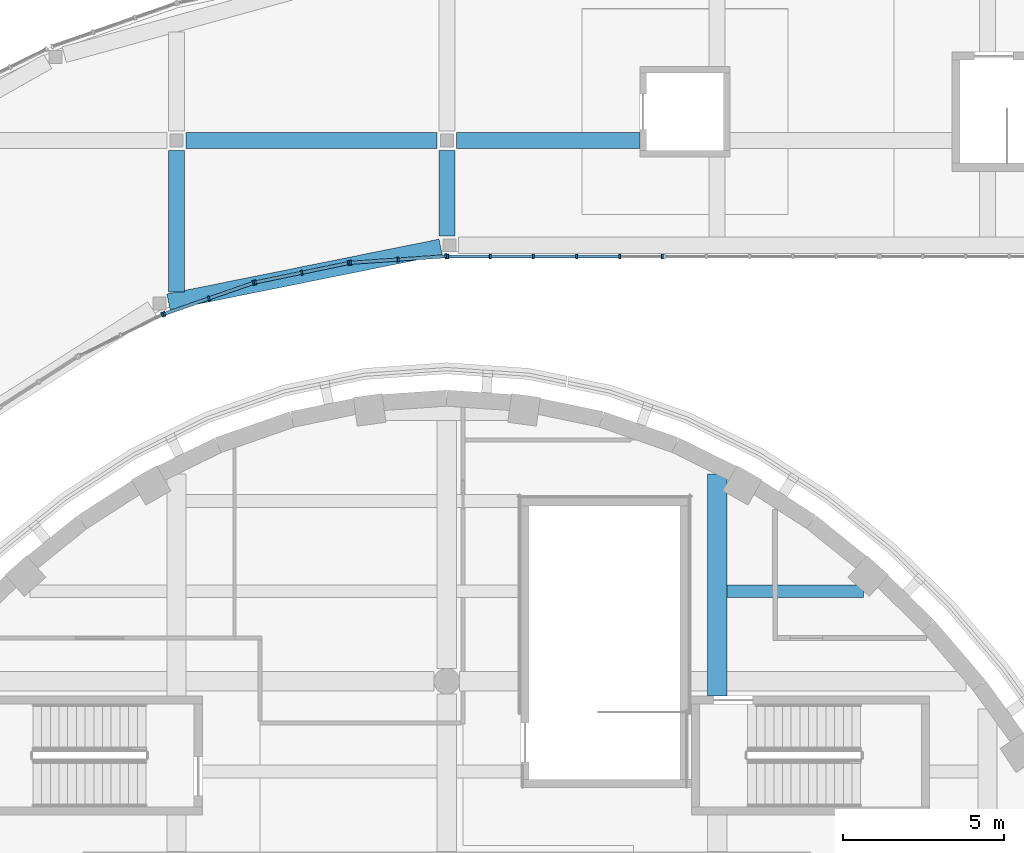
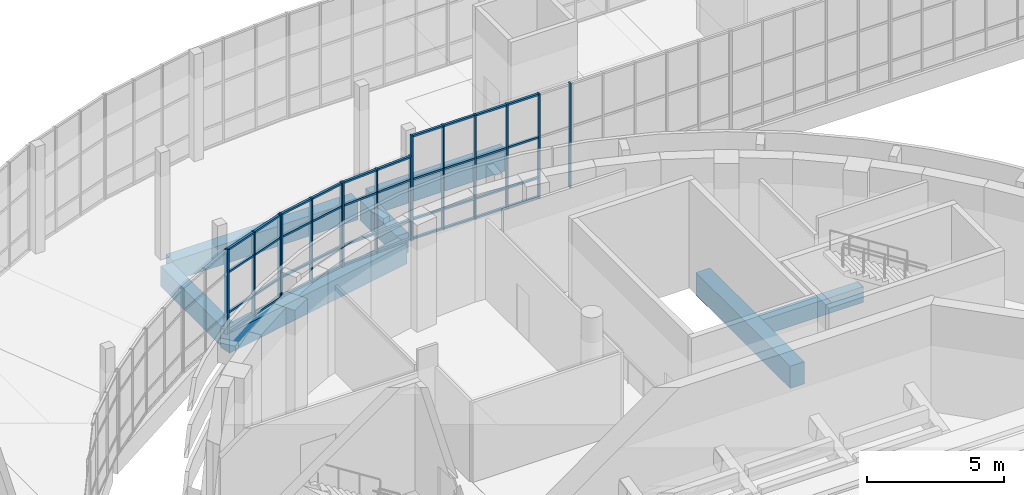
# One storey, part 23 of 103: 56 members, 7 beams, 5 elements without a shape of their own.
"""IFC4 building model written with IfcOpenShell, lengths in metres."""

from ifc_helpers import new_model, si_unit, direction, frame, origin, origin_2d, place, context, subcontext, project, spatial, rectangle, extrude, material, layer, layer_set, material_profile, profile_set, type_object, element, aggregate, save


model = new_model("IFC4")

# Units and contexts
model_context = context("Model", 3, precision=1e-05, world=origin(), true_north=direction((0.0, 1.0)))
body_context = subcontext(model_context, "Body", "Model", "MODEL_VIEW")
ifc_project = project(units=[si_unit("LENGTHUNIT", "METRE"), si_unit("AREAUNIT", "SQUARE_METRE"), si_unit("VOLUMEUNIT", "CUBIC_METRE"), si_unit("PLANEANGLEUNIT", "RADIAN"), si_unit("MASSUNIT", "GRAM", prefix="KILO")], contexts=[model_context])

# Site, building, storey
site_placement = place(None, origin())
site = spatial("IfcSite", under=ifc_project, at=site_placement, CompositionType="ELEMENT")
building_placement = place(site_placement, origin())
building = spatial("IfcBuilding", under=site, at=building_placement, Name="Larchfold Concert Hall", CompositionType="ELEMENT")
storey_placement = place(building_placement, frame((0.0, 0.0, 9.60009765625)))
storey = spatial("IfcBuildingStorey", under=building, at=storey_placement, Name="L02", CompositionType="ELEMENT", Elevation=9.60009765625)

# Curtain wall, member
ifc_material_1 = material(Name="Anodised graphite aluminium curtain wall", Category="aluminium")
ifc_layer = layer(ifc_material_1, 0.14990234375)
ifc_layer_set = layer_set([ifc_layer], Name="Anodised graphite aluminium curtain wall")
curtain_wall_type = type_object("IfcCurtainWallType", Name="Curtain wall WG", PredefinedType="NOTDEFINED", material=ifc_layer_set)
curtain_wall_1_placement = place(storey_placement, origin())
curtain_wall_1 = element("IfcCurtainWall", 1, at=curtain_wall_1_placement, inside=storey, type_object=curtain_wall_type, Name="Curtain wall CW0239", PredefinedType="NOTDEFINED")
ifc_material_2 = material(Name="Anodised graphite aluminium mullion", Category="aluminium")
ifc_material_profile_1 = material_profile(ifc_material_2, rectangle(XDim=0.14990234375, YDim=0.06005859375, at=origin_2d()))
ifc_profile_set_1 = profile_set([ifc_material_profile_1], Name="Anodised graphite aluminium mullion")
member_type_1 = type_object("IfcMemberType", Name="Aluminium mullion 60x150", PredefinedType="MULLION", material=ifc_profile_set_1)
member_1_placement = place(storey_placement, frame((33.7646484375, 121.191650390625, 0.0), z_axis=(0.0, 0.0, 1.0), x_axis=(-0.442317057699, 0.896858751682, 0.0)))
member_1 = element("IfcMember", 2, at=member_1_placement, type_object=member_type_1, Name="CW0239 mullion 3", PredefinedType="MULLION", context=body_context, shape_type="SweptSolid", body=[
    extrude(rectangle(XDim=0.14990234375, YDim=0.06005859375, at=origin_2d()), origin(), (0.0, 0.0, 1.0), 3.75),
])
aggregate(curtain_wall_1, [member_1])

# Curtain wall, members
curtain_wall_2_placement = place(storey_placement, origin())
curtain_wall_2 = element("IfcCurtainWall", 3, at=curtain_wall_2_placement, inside=storey, type_object=curtain_wall_type, Name="Curtain wall CW0240", PredefinedType="NOTDEFINED")
member_2_placement = place(storey_placement, frame((33.81982421875, 121.214599609375, 0.0), z_axis=(0.0, 0.0, 1.0), x_axis=(-0.3289542175, 0.944345870319, 0.0)))
member_2 = element("IfcMember", 4, at=member_2_placement, type_object=member_type_1, Name="CW0240 mullion 1", PredefinedType="MULLION", context=body_context, shape_type="SweptSolid", body=[
    extrude(rectangle(XDim=0.14990234375, YDim=0.06005859375, at=origin_2d()), origin(), (0.0, 0.0, 1.0), 3.75),
])
member_3_placement = place(storey_placement, frame((35.2041015625, 121.69677734375, 0.0), z_axis=(0.0, 0.0, 1.0), x_axis=(-0.3289542175, 0.944345870319, 0.0)))
member_3 = element("IfcMember", 5, at=member_3_placement, type_object=member_type_1, Name="CW0240 mullion 2", PredefinedType="MULLION", context=body_context, shape_type="SweptSolid", body=[
    extrude(rectangle(XDim=0.14990234375, YDim=0.06005859375, at=origin_2d()), origin(), (0.0, 0.0, 1.0), 3.75),
])
member_4_placement = place(storey_placement, frame((36.58837890625, 122.17919921875, 0.0), z_axis=(0.0, 0.0, 1.0), x_axis=(-0.3289542175, 0.944345870319, 0.0)))
member_4 = element("IfcMember", 6, at=member_4_placement, type_object=member_type_1, Name="CW0240 mullion 3", PredefinedType="MULLION", context=body_context, shape_type="SweptSolid", body=[
    extrude(rectangle(XDim=0.14990234375, YDim=0.06005859375, at=origin_2d()), origin(), (0.0, 0.0, 1.0), 3.75),
])

curtain_wall_3_placement = place(storey_placement, origin())
curtain_wall_3 = element("IfcCurtainWall", 7, at=curtain_wall_3_placement, inside=storey, type_object=curtain_wall_type, Name="Curtain wall CW0241", PredefinedType="NOTDEFINED")
member_5_placement = place(storey_placement, frame((36.64599609375, 122.195068359375, 0.0), z_axis=(0.0, 0.0, 1.0), x_axis=(-0.203062857741, 0.979165703957, 0.0)))
member_5 = element("IfcMember", 8, at=member_5_placement, type_object=member_type_1, Name="CW0241 mullion 1", PredefinedType="MULLION", context=body_context, shape_type="SweptSolid", body=[
    extrude(rectangle(XDim=0.14990234375, YDim=0.06005859375, at=origin_2d()), origin(), (0.0, 0.0, 1.0), 3.75),
])
member_6_placement = place(storey_placement, frame((38.0947265625, 122.495361328125, 0.0), z_axis=(0.0, 0.0, 1.0), x_axis=(-0.203062857741, 0.979165703957, 0.0)))
member_6 = element("IfcMember", 9, at=member_6_placement, type_object=member_type_1, Name="CW0241 mullion 2", PredefinedType="MULLION", context=body_context, shape_type="SweptSolid", body=[
    extrude(rectangle(XDim=0.14990234375, YDim=0.06005859375, at=origin_2d()), origin(), (0.0, 0.0, 1.0), 3.75),
])
member_7_placement = place(storey_placement, frame((39.54345703125, 122.7958984375, 0.0), z_axis=(0.0, 0.0, 1.0), x_axis=(-0.203062857741, 0.979165703957, 0.0)))
member_7 = element("IfcMember", 10, at=member_7_placement, type_object=member_type_1, Name="CW0241 mullion 3", PredefinedType="MULLION", context=body_context, shape_type="SweptSolid", body=[
    extrude(rectangle(XDim=0.14990234375, YDim=0.06005859375, at=origin_2d()), origin(), (0.0, 0.0, 1.0), 3.75),
])

curtain_wall_4_placement = place(storey_placement, origin())
curtain_wall_4 = element("IfcCurtainWall", 11, at=curtain_wall_4_placement, inside=storey, type_object=curtain_wall_type, Name="Curtain wall CW0242", PredefinedType="NOTDEFINED")
member_8_placement = place(storey_placement, frame((39.602783203125, 122.803955078125, 0.0), z_axis=(0.0, 0.0, 1.0), x_axis=(-0.068708211839, 0.997636798452, 0.0)))
member_8 = element("IfcMember", 12, at=member_8_placement, type_object=member_type_1, Name="CW0242 mullion 1", PredefinedType="MULLION", context=body_context, shape_type="SweptSolid", body=[
    extrude(rectangle(XDim=0.14990234375, YDim=0.06005859375, at=origin_2d()), origin(), (0.0, 0.0, 1.0), 3.75),
])
member_9_placement = place(storey_placement, frame((41.08642578125, 122.90625, 0.0), z_axis=(0.0, 0.0, 1.0), x_axis=(-0.068708211839, 0.997636798452, 0.0)))
member_9 = element("IfcMember", 13, at=member_9_placement, type_object=member_type_1, Name="CW0242 mullion 2", PredefinedType="MULLION", context=body_context, shape_type="SweptSolid", body=[
    extrude(rectangle(XDim=0.14990234375, YDim=0.06005859375, at=origin_2d()), origin(), (0.0, 0.0, 1.0), 3.75),
])
member_10_placement = place(storey_placement, frame((42.570068359375, 123.008544921875, 0.0), z_axis=(0.0, 0.0, 1.0), x_axis=(-0.068708211839, 0.997636798452, 0.0)))
member_10 = element("IfcMember", 14, at=member_10_placement, type_object=member_type_1, Name="CW0242 mullion 3", PredefinedType="MULLION", context=body_context, shape_type="SweptSolid", body=[
    extrude(rectangle(XDim=0.14990234375, YDim=0.06005859375, at=origin_2d()), origin(), (0.0, 0.0, 1.0), 3.75),
])

curtain_wall_5_placement = place(storey_placement, origin())
curtain_wall_5 = element("IfcCurtainWall", 15, at=curtain_wall_5_placement, inside=storey, type_object=curtain_wall_type, Name="Curtain wall CW0243", PredefinedType="NOTDEFINED")
member_11_placement = place(storey_placement, frame((42.630126953125, 123.0, 0.0), z_axis=(0.0, 0.0, 1.0), x_axis=(0.0, 1.0, 0.0)))
member_11 = element("IfcMember", 16, at=member_11_placement, type_object=member_type_1, Name="CW0243 mullion 1", PredefinedType="MULLION", context=body_context, shape_type="SweptSolid", body=[
    extrude(rectangle(XDim=0.14990234375, YDim=0.06005859375, at=origin_2d()), origin(), (0.0, 0.0, 1.0), 4.64990234375),
])
member_12_placement = place(storey_placement, frame((43.944091796875, 123.0, 0.0), z_axis=(0.0, 0.0, 1.0), x_axis=(0.0, 1.0, 0.0)))
member_12 = element("IfcMember", 17, at=member_12_placement, type_object=member_type_1, Name="CW0243 mullion 2", PredefinedType="MULLION", context=body_context, shape_type="SweptSolid", body=[
    extrude(rectangle(XDim=0.14990234375, YDim=0.06005859375, at=origin_2d()), origin(), (0.0, 0.0, 1.0), 4.64990234375),
])
member_13_placement = place(storey_placement, frame((45.2880859375, 123.0, 0.0), z_axis=(0.0, 0.0, 1.0), x_axis=(0.0, 1.0, 0.0)))
member_13 = element("IfcMember", 18, at=member_13_placement, type_object=member_type_1, Name="CW0243 mullion 3", PredefinedType="MULLION", context=body_context, shape_type="SweptSolid", body=[
    extrude(rectangle(XDim=0.14990234375, YDim=0.06005859375, at=origin_2d()), origin(), (0.0, 0.0, 1.0), 4.64990234375),
])
member_14_placement = place(storey_placement, frame((46.632080078125, 123.0, 0.0), z_axis=(0.0, 0.0, 1.0), x_axis=(0.0, 1.0, 0.0)))
member_14 = element("IfcMember", 19, at=member_14_placement, type_object=member_type_1, Name="CW0243 mullion 4", PredefinedType="MULLION", context=body_context, shape_type="SweptSolid", body=[
    extrude(rectangle(XDim=0.14990234375, YDim=0.06005859375, at=origin_2d()), origin(), (0.0, 0.0, 1.0), 4.64990234375),
])
member_15_placement = place(storey_placement, frame((47.97607421875, 123.0, 0.0), z_axis=(0.0, 0.0, 1.0), x_axis=(0.0, 1.0, 0.0)))
member_15 = element("IfcMember", 20, at=member_15_placement, type_object=member_type_1, Name="CW0243 mullion 5", PredefinedType="MULLION", context=body_context, shape_type="SweptSolid", body=[
    extrude(rectangle(XDim=0.14990234375, YDim=0.06005859375, at=origin_2d()), origin(), (0.0, 0.0, 1.0), 4.64990234375),
])
member_16_placement = place(storey_placement, frame((49.2900390625, 123.0, 0.0), z_axis=(0.0, 0.0, 1.0), x_axis=(0.0, 1.0, 0.0)))
member_16 = element("IfcMember", 21, at=member_16_placement, type_object=member_type_1, Name="CW0243 mullion 6", PredefinedType="MULLION", context=body_context, shape_type="SweptSolid", body=[
    extrude(rectangle(XDim=0.14990234375, YDim=0.06005859375, at=origin_2d()), origin(), (0.0, 0.0, 1.0), 4.64990234375),
])

# Member
ifc_material_3 = material(Name="Anodised graphite aluminium transom", Category="aluminium")
ifc_material_profile_2 = material_profile(ifc_material_3, rectangle(XDim=0.10009765625, YDim=0.080078125, at=origin_2d()))
ifc_profile_set_2 = profile_set([ifc_material_profile_2], Name="Anodised graphite aluminium transom")
member_type_2 = type_object("IfcMemberType", Name="Aluminium transom 80x100", PredefinedType="USERDEFINED", material=ifc_profile_set_2)
member_17_placement = place(storey_placement, frame((33.84814453125, 121.224609375, 0.0400390625), z_axis=(0.944360833876, 0.328911257698, 0.0), x_axis=(-0.328911257698, 0.944360833876, 0.0)))
member_17 = element("IfcMember", 22, at=member_17_placement, type_object=member_type_2, Name="CW0240 transom 1.1", ObjectType="TRANSOM", PredefinedType="USERDEFINED", context=body_context, shape_type="SweptSolid", body=[
    extrude(rectangle(XDim=0.10009765625, YDim=0.080078125, at=origin_2d()), origin(), (0.0, 0.0, 1.0), 1.40576171875),
])

member_18_placement = place(storey_placement, frame((33.84814453125, 121.224609375, 0.89990234375), z_axis=(0.944360833876, 0.328911257698, 0.0), x_axis=(-0.328911257698, 0.944360833876, 0.0)))
member_18 = element("IfcMember", 23, at=member_18_placement, type_object=member_type_2, Name="CW0240 transom 1.2", ObjectType="TRANSOM", PredefinedType="USERDEFINED", context=body_context, shape_type="SweptSolid", body=[
    extrude(rectangle(XDim=0.10009765625, YDim=0.080078125, at=origin_2d()), origin(), (0.0, 0.0, 1.0), 1.40576171875),
])

member_19_placement = place(storey_placement, frame((33.84814453125, 121.224609375, 2.699951171875), z_axis=(0.944360833876, 0.328911257698, 0.0), x_axis=(-0.328911257698, 0.944360833876, 0.0)))
member_19 = element("IfcMember", 24, at=member_19_placement, type_object=member_type_2, Name="CW0240 transom 1.3", ObjectType="TRANSOM", PredefinedType="USERDEFINED", context=body_context, shape_type="SweptSolid", body=[
    extrude(rectangle(XDim=0.10009765625, YDim=0.080078125, at=origin_2d()), origin(), (0.0, 0.0, 1.0), 1.40576171875),
])

member_20_placement = place(storey_placement, frame((33.84814453125, 121.224609375, 3.7099609375), z_axis=(0.944360833876, 0.328911257698, 0.0), x_axis=(-0.328911257698, 0.944360833876, 0.0)))
member_20 = element("IfcMember", 25, at=member_20_placement, type_object=member_type_2, Name="CW0240 transom 1.4", ObjectType="TRANSOM", PredefinedType="USERDEFINED", context=body_context, shape_type="SweptSolid", body=[
    extrude(rectangle(XDim=0.10009765625, YDim=0.080078125, at=origin_2d()), origin(), (0.0, 0.0, 1.0), 1.40576171875),
])

member_21_placement = place(storey_placement, frame((35.232421875, 121.706787109375, 0.0400390625), z_axis=(0.944360833876, 0.328911257698, 0.0), x_axis=(-0.328911257698, 0.944360833876, 0.0)))
member_21 = element("IfcMember", 26, at=member_21_placement, type_object=member_type_2, Name="CW0240 transom 2.1", ObjectType="TRANSOM", PredefinedType="USERDEFINED", context=body_context, shape_type="SweptSolid", body=[
    extrude(rectangle(XDim=0.10009765625, YDim=0.080078125, at=origin_2d()), origin(), (0.0, 0.0, 1.0), 1.40576171875),
])

member_22_placement = place(storey_placement, frame((35.232421875, 121.706787109375, 0.89990234375), z_axis=(0.944360833876, 0.328911257698, 0.0), x_axis=(-0.328911257698, 0.944360833876, 0.0)))
member_22 = element("IfcMember", 27, at=member_22_placement, type_object=member_type_2, Name="CW0240 transom 2.2", ObjectType="TRANSOM", PredefinedType="USERDEFINED", context=body_context, shape_type="SweptSolid", body=[
    extrude(rectangle(XDim=0.10009765625, YDim=0.080078125, at=origin_2d()), origin(), (0.0, 0.0, 1.0), 1.40576171875),
])

member_23_placement = place(storey_placement, frame((35.232421875, 121.706787109375, 2.699951171875), z_axis=(0.944360833876, 0.328911257698, 0.0), x_axis=(-0.328911257698, 0.944360833876, 0.0)))
member_23 = element("IfcMember", 28, at=member_23_placement, type_object=member_type_2, Name="CW0240 transom 2.3", ObjectType="TRANSOM", PredefinedType="USERDEFINED", context=body_context, shape_type="SweptSolid", body=[
    extrude(rectangle(XDim=0.10009765625, YDim=0.080078125, at=origin_2d()), origin(), (0.0, 0.0, 1.0), 1.40576171875),
])

member_24_placement = place(storey_placement, frame((35.232421875, 121.706787109375, 3.7099609375), z_axis=(0.944360833876, 0.328911257698, 0.0), x_axis=(-0.328911257698, 0.944360833876, 0.0)))
member_24 = element("IfcMember", 29, at=member_24_placement, type_object=member_type_2, Name="CW0240 transom 2.4", ObjectType="TRANSOM", PredefinedType="USERDEFINED", context=body_context, shape_type="SweptSolid", body=[
    extrude(rectangle(XDim=0.10009765625, YDim=0.080078125, at=origin_2d()), origin(), (0.0, 0.0, 1.0), 1.40576171875),
])

aggregate(curtain_wall_2, [member_2, member_3, member_4, member_17, member_18, member_19, member_20, member_21, member_22, member_23, member_24])

member_25_placement = place(storey_placement, frame((36.675537109375, 122.201171875, 0.0400390625), z_axis=(0.979153204185, 0.203123122105, 0.0), x_axis=(-0.203123122105, 0.979153204185, 0.0)))
member_25 = element("IfcMember", 30, at=member_25_placement, type_object=member_type_2, Name="CW0241 transom 1.1", ObjectType="TRANSOM", PredefinedType="USERDEFINED", context=body_context, shape_type="SweptSolid", body=[
    extrude(rectangle(XDim=0.10009765625, YDim=0.080078125, at=origin_2d()), origin(), (0.0, 0.0, 1.0), 1.41943359375),
])

member_26_placement = place(storey_placement, frame((36.675537109375, 122.201171875, 0.89990234375), z_axis=(0.979153204185, 0.203123122105, 0.0), x_axis=(-0.203123122105, 0.979153204185, 0.0)))
member_26 = element("IfcMember", 31, at=member_26_placement, type_object=member_type_2, Name="CW0241 transom 1.2", ObjectType="TRANSOM", PredefinedType="USERDEFINED", context=body_context, shape_type="SweptSolid", body=[
    extrude(rectangle(XDim=0.10009765625, YDim=0.080078125, at=origin_2d()), origin(), (0.0, 0.0, 1.0), 1.41943359375),
])

member_27_placement = place(storey_placement, frame((36.675537109375, 122.201171875, 2.699951171875), z_axis=(0.979153204185, 0.203123122105, 0.0), x_axis=(-0.203123122105, 0.979153204185, 0.0)))
member_27 = element("IfcMember", 32, at=member_27_placement, type_object=member_type_2, Name="CW0241 transom 1.3", ObjectType="TRANSOM", PredefinedType="USERDEFINED", context=body_context, shape_type="SweptSolid", body=[
    extrude(rectangle(XDim=0.10009765625, YDim=0.080078125, at=origin_2d()), origin(), (0.0, 0.0, 1.0), 1.41943359375),
])

member_28_placement = place(storey_placement, frame((36.675537109375, 122.201171875, 3.7099609375), z_axis=(0.979153204185, 0.203123122105, 0.0), x_axis=(-0.203123122105, 0.979153204185, 0.0)))
member_28 = element("IfcMember", 33, at=member_28_placement, type_object=member_type_2, Name="CW0241 transom 1.4", ObjectType="TRANSOM", PredefinedType="USERDEFINED", context=body_context, shape_type="SweptSolid", body=[
    extrude(rectangle(XDim=0.10009765625, YDim=0.080078125, at=origin_2d()), origin(), (0.0, 0.0, 1.0), 1.41943359375),
])

member_29_placement = place(storey_placement, frame((38.1240234375, 122.50146484375, 0.0400390625), z_axis=(0.979153204185, 0.203123122105, 0.0), x_axis=(-0.203123122105, 0.979153204185, 0.0)))
member_29 = element("IfcMember", 34, at=member_29_placement, type_object=member_type_2, Name="CW0241 transom 2.1", ObjectType="TRANSOM", PredefinedType="USERDEFINED", context=body_context, shape_type="SweptSolid", body=[
    extrude(rectangle(XDim=0.10009765625, YDim=0.080078125, at=origin_2d()), origin(), (0.0, 0.0, 1.0), 1.41943359375),
])

member_30_placement = place(storey_placement, frame((38.1240234375, 122.50146484375, 0.89990234375), z_axis=(0.979153204185, 0.203123122105, 0.0), x_axis=(-0.203123122105, 0.979153204185, 0.0)))
member_30 = element("IfcMember", 35, at=member_30_placement, type_object=member_type_2, Name="CW0241 transom 2.2", ObjectType="TRANSOM", PredefinedType="USERDEFINED", context=body_context, shape_type="SweptSolid", body=[
    extrude(rectangle(XDim=0.10009765625, YDim=0.080078125, at=origin_2d()), origin(), (0.0, 0.0, 1.0), 1.41943359375),
])

member_31_placement = place(storey_placement, frame((38.1240234375, 122.50146484375, 2.699951171875), z_axis=(0.979153204185, 0.203123122105, 0.0), x_axis=(-0.203123122105, 0.979153204185, 0.0)))
member_31 = element("IfcMember", 36, at=member_31_placement, type_object=member_type_2, Name="CW0241 transom 2.3", ObjectType="TRANSOM", PredefinedType="USERDEFINED", context=body_context, shape_type="SweptSolid", body=[
    extrude(rectangle(XDim=0.10009765625, YDim=0.080078125, at=origin_2d()), origin(), (0.0, 0.0, 1.0), 1.41943359375),
])

member_32_placement = place(storey_placement, frame((38.1240234375, 122.50146484375, 3.7099609375), z_axis=(0.979153204185, 0.203123122105, 0.0), x_axis=(-0.203123122105, 0.979153204185, 0.0)))
member_32 = element("IfcMember", 37, at=member_32_placement, type_object=member_type_2, Name="CW0241 transom 2.4", ObjectType="TRANSOM", PredefinedType="USERDEFINED", context=body_context, shape_type="SweptSolid", body=[
    extrude(rectangle(XDim=0.10009765625, YDim=0.080078125, at=origin_2d()), origin(), (0.0, 0.0, 1.0), 1.41943359375),
])

aggregate(curtain_wall_3, [member_5, member_6, member_7, member_25, member_26, member_27, member_28, member_29, member_30, member_31, member_32])

member_33_placement = place(storey_placement, frame((39.632568359375, 122.80615234375, 0.0400390625), z_axis=(0.997632757082, 0.068766867001, 0.0), x_axis=(-0.068766867001, 0.997632757082, 0.0)))
member_33 = element("IfcMember", 38, at=member_33_placement, type_object=member_type_2, Name="CW0242 transom 1.1", ObjectType="TRANSOM", PredefinedType="USERDEFINED", context=body_context, shape_type="SweptSolid", body=[
    extrude(rectangle(XDim=0.10009765625, YDim=0.080078125, at=origin_2d()), origin(), (0.0, 0.0, 1.0), 1.42724609375),
])

member_34_placement = place(storey_placement, frame((39.632568359375, 122.80615234375, 0.89990234375), z_axis=(0.997632757082, 0.068766867001, 0.0), x_axis=(-0.068766867001, 0.997632757082, 0.0)))
member_34 = element("IfcMember", 39, at=member_34_placement, type_object=member_type_2, Name="CW0242 transom 1.2", ObjectType="TRANSOM", PredefinedType="USERDEFINED", context=body_context, shape_type="SweptSolid", body=[
    extrude(rectangle(XDim=0.10009765625, YDim=0.080078125, at=origin_2d()), origin(), (0.0, 0.0, 1.0), 1.42724609375),
])

member_35_placement = place(storey_placement, frame((39.632568359375, 122.80615234375, 2.699951171875), z_axis=(0.997632757082, 0.068766867001, 0.0), x_axis=(-0.068766867001, 0.997632757082, 0.0)))
member_35 = element("IfcMember", 40, at=member_35_placement, type_object=member_type_2, Name="CW0242 transom 1.3", ObjectType="TRANSOM", PredefinedType="USERDEFINED", context=body_context, shape_type="SweptSolid", body=[
    extrude(rectangle(XDim=0.10009765625, YDim=0.080078125, at=origin_2d()), origin(), (0.0, 0.0, 1.0), 1.42724609375),
])

member_36_placement = place(storey_placement, frame((39.632568359375, 122.80615234375, 3.7099609375), z_axis=(0.997632757082, 0.068766867001, 0.0), x_axis=(-0.068766867001, 0.997632757082, 0.0)))
member_36 = element("IfcMember", 41, at=member_36_placement, type_object=member_type_2, Name="CW0242 transom 1.4", ObjectType="TRANSOM", PredefinedType="USERDEFINED", context=body_context, shape_type="SweptSolid", body=[
    extrude(rectangle(XDim=0.10009765625, YDim=0.080078125, at=origin_2d()), origin(), (0.0, 0.0, 1.0), 1.42724609375),
])

member_37_placement = place(storey_placement, frame((41.116455078125, 122.908203125, 0.0400390625), z_axis=(0.997632757082, 0.068766867001, 0.0), x_axis=(-0.068766867001, 0.997632757082, 0.0)))
member_37 = element("IfcMember", 42, at=member_37_placement, type_object=member_type_2, Name="CW0242 transom 2.1", ObjectType="TRANSOM", PredefinedType="USERDEFINED", context=body_context, shape_type="SweptSolid", body=[
    extrude(rectangle(XDim=0.10009765625, YDim=0.080078125, at=origin_2d()), origin(), (0.0, 0.0, 1.0), 1.42724609375),
])

member_38_placement = place(storey_placement, frame((41.116455078125, 122.908203125, 0.89990234375), z_axis=(0.997632757082, 0.068766867001, 0.0), x_axis=(-0.068766867001, 0.997632757082, 0.0)))
member_38 = element("IfcMember", 43, at=member_38_placement, type_object=member_type_2, Name="CW0242 transom 2.2", ObjectType="TRANSOM", PredefinedType="USERDEFINED", context=body_context, shape_type="SweptSolid", body=[
    extrude(rectangle(XDim=0.10009765625, YDim=0.080078125, at=origin_2d()), origin(), (0.0, 0.0, 1.0), 1.42724609375),
])

member_39_placement = place(storey_placement, frame((41.116455078125, 122.908203125, 2.699951171875), z_axis=(0.997632757082, 0.068766867001, 0.0), x_axis=(-0.068766867001, 0.997632757082, 0.0)))
member_39 = element("IfcMember", 44, at=member_39_placement, type_object=member_type_2, Name="CW0242 transom 2.3", ObjectType="TRANSOM", PredefinedType="USERDEFINED", context=body_context, shape_type="SweptSolid", body=[
    extrude(rectangle(XDim=0.10009765625, YDim=0.080078125, at=origin_2d()), origin(), (0.0, 0.0, 1.0), 1.42724609375),
])

member_40_placement = place(storey_placement, frame((41.116455078125, 122.908203125, 3.7099609375), z_axis=(0.997632757082, 0.068766867001, 0.0), x_axis=(-0.068766867001, 0.997632757082, 0.0)))
member_40 = element("IfcMember", 45, at=member_40_placement, type_object=member_type_2, Name="CW0242 transom 2.4", ObjectType="TRANSOM", PredefinedType="USERDEFINED", context=body_context, shape_type="SweptSolid", body=[
    extrude(rectangle(XDim=0.10009765625, YDim=0.080078125, at=origin_2d()), origin(), (0.0, 0.0, 1.0), 1.42724609375),
])

aggregate(curtain_wall_4, [member_8, member_9, member_10, member_33, member_34, member_35, member_36, member_37, member_38, member_39, member_40])

member_41_placement = place(storey_placement, frame((42.66015625, 123.0, 0.0400390625), z_axis=(1.0, 0.0, 0.0), x_axis=(0.0, 1.0, 0.0)))
member_41 = element("IfcMember", 46, at=member_41_placement, type_object=member_type_2, Name="CW0243 transom 1.1", ObjectType="TRANSOM", PredefinedType="USERDEFINED", context=body_context, shape_type="SweptSolid", body=[
    extrude(rectangle(XDim=0.10009765625, YDim=0.080078125, at=origin_2d()), origin(), (0.0, 0.0, 1.0), 1.25390625),
])

member_42_placement = place(storey_placement, frame((42.66015625, 123.0, 0.89990234375), z_axis=(1.0, 0.0, 0.0), x_axis=(0.0, 1.0, 0.0)))
member_42 = element("IfcMember", 47, at=member_42_placement, type_object=member_type_2, Name="CW0243 transom 1.2", ObjectType="TRANSOM", PredefinedType="USERDEFINED", context=body_context, shape_type="SweptSolid", body=[
    extrude(rectangle(XDim=0.10009765625, YDim=0.080078125, at=origin_2d()), origin(), (0.0, 0.0, 1.0), 1.25390625),
])

member_43_placement = place(storey_placement, frame((42.66015625, 123.0, 2.699951171875), z_axis=(1.0, 0.0, 0.0), x_axis=(0.0, 1.0, 0.0)))
member_43 = element("IfcMember", 48, at=member_43_placement, type_object=member_type_2, Name="CW0243 transom 1.3", ObjectType="TRANSOM", PredefinedType="USERDEFINED", context=body_context, shape_type="SweptSolid", body=[
    extrude(rectangle(XDim=0.10009765625, YDim=0.080078125, at=origin_2d()), origin(), (0.0, 0.0, 1.0), 1.25390625),
])

member_44_placement = place(storey_placement, frame((42.66015625, 123.0, 4.60986328125), z_axis=(1.0, 0.0, 0.0), x_axis=(0.0, 1.0, 0.0)))
member_44 = element("IfcMember", 49, at=member_44_placement, type_object=member_type_2, Name="CW0243 transom 1.4", ObjectType="TRANSOM", PredefinedType="USERDEFINED", context=body_context, shape_type="SweptSolid", body=[
    extrude(rectangle(XDim=0.10009765625, YDim=0.080078125, at=origin_2d()), origin(), (0.0, 0.0, 1.0), 1.25390625),
])

member_45_placement = place(storey_placement, frame((43.97412109375, 123.0, 0.0400390625), z_axis=(1.0, 0.0, 0.0), x_axis=(0.0, 1.0, 0.0)))
member_45 = element("IfcMember", 50, at=member_45_placement, type_object=member_type_2, Name="CW0243 transom 2.1", ObjectType="TRANSOM", PredefinedType="USERDEFINED", context=body_context, shape_type="SweptSolid", body=[
    extrude(rectangle(XDim=0.10009765625, YDim=0.080078125, at=origin_2d()), origin(), (0.0, 0.0, 1.0), 1.283935546875),
])

member_46_placement = place(storey_placement, frame((43.97412109375, 123.0, 0.89990234375), z_axis=(1.0, 0.0, 0.0), x_axis=(0.0, 1.0, 0.0)))
member_46 = element("IfcMember", 51, at=member_46_placement, type_object=member_type_2, Name="CW0243 transom 2.2", ObjectType="TRANSOM", PredefinedType="USERDEFINED", context=body_context, shape_type="SweptSolid", body=[
    extrude(rectangle(XDim=0.10009765625, YDim=0.080078125, at=origin_2d()), origin(), (0.0, 0.0, 1.0), 1.283935546875),
])

member_47_placement = place(storey_placement, frame((43.97412109375, 123.0, 2.699951171875), z_axis=(1.0, 0.0, 0.0), x_axis=(0.0, 1.0, 0.0)))
member_47 = element("IfcMember", 52, at=member_47_placement, type_object=member_type_2, Name="CW0243 transom 2.3", ObjectType="TRANSOM", PredefinedType="USERDEFINED", context=body_context, shape_type="SweptSolid", body=[
    extrude(rectangle(XDim=0.10009765625, YDim=0.080078125, at=origin_2d()), origin(), (0.0, 0.0, 1.0), 1.283935546875),
])

member_48_placement = place(storey_placement, frame((43.97412109375, 123.0, 4.60986328125), z_axis=(1.0, 0.0, 0.0), x_axis=(0.0, 1.0, 0.0)))
member_48 = element("IfcMember", 53, at=member_48_placement, type_object=member_type_2, Name="CW0243 transom 2.4", ObjectType="TRANSOM", PredefinedType="USERDEFINED", context=body_context, shape_type="SweptSolid", body=[
    extrude(rectangle(XDim=0.10009765625, YDim=0.080078125, at=origin_2d()), origin(), (0.0, 0.0, 1.0), 1.283935546875),
])

member_49_placement = place(storey_placement, frame((45.318115234375, 123.0, 0.0400390625), z_axis=(1.0, 0.0, 0.0), x_axis=(0.0, 1.0, 0.0)))
member_49 = element("IfcMember", 54, at=member_49_placement, type_object=member_type_2, Name="CW0243 transom 3.1", ObjectType="TRANSOM", PredefinedType="USERDEFINED", context=body_context, shape_type="SweptSolid", body=[
    extrude(rectangle(XDim=0.10009765625, YDim=0.080078125, at=origin_2d()), origin(), (0.0, 0.0, 1.0), 1.283935546875),
])

member_50_placement = place(storey_placement, frame((45.318115234375, 123.0, 0.89990234375), z_axis=(1.0, 0.0, 0.0), x_axis=(0.0, 1.0, 0.0)))
member_50 = element("IfcMember", 55, at=member_50_placement, type_object=member_type_2, Name="CW0243 transom 3.2", ObjectType="TRANSOM", PredefinedType="USERDEFINED", context=body_context, shape_type="SweptSolid", body=[
    extrude(rectangle(XDim=0.10009765625, YDim=0.080078125, at=origin_2d()), origin(), (0.0, 0.0, 1.0), 1.283935546875),
])

member_51_placement = place(storey_placement, frame((45.318115234375, 123.0, 2.699951171875), z_axis=(1.0, 0.0, 0.0), x_axis=(0.0, 1.0, 0.0)))
member_51 = element("IfcMember", 56, at=member_51_placement, type_object=member_type_2, Name="CW0243 transom 3.3", ObjectType="TRANSOM", PredefinedType="USERDEFINED", context=body_context, shape_type="SweptSolid", body=[
    extrude(rectangle(XDim=0.10009765625, YDim=0.080078125, at=origin_2d()), origin(), (0.0, 0.0, 1.0), 1.283935546875),
])

member_52_placement = place(storey_placement, frame((45.318115234375, 123.0, 4.60986328125), z_axis=(1.0, 0.0, 0.0), x_axis=(0.0, 1.0, 0.0)))
member_52 = element("IfcMember", 57, at=member_52_placement, type_object=member_type_2, Name="CW0243 transom 3.4", ObjectType="TRANSOM", PredefinedType="USERDEFINED", context=body_context, shape_type="SweptSolid", body=[
    extrude(rectangle(XDim=0.10009765625, YDim=0.080078125, at=origin_2d()), origin(), (0.0, 0.0, 1.0), 1.283935546875),
])

member_53_placement = place(storey_placement, frame((46.662109375, 123.0, 0.0400390625), z_axis=(1.0, 0.0, 0.0), x_axis=(0.0, 1.0, 0.0)))
member_53 = element("IfcMember", 58, at=member_53_placement, type_object=member_type_2, Name="CW0243 transom 4.1", ObjectType="TRANSOM", PredefinedType="USERDEFINED", context=body_context, shape_type="SweptSolid", body=[
    extrude(rectangle(XDim=0.10009765625, YDim=0.080078125, at=origin_2d()), origin(), (0.0, 0.0, 1.0), 1.283935546875),
])

member_54_placement = place(storey_placement, frame((46.662109375, 123.0, 0.89990234375), z_axis=(1.0, 0.0, 0.0), x_axis=(0.0, 1.0, 0.0)))
member_54 = element("IfcMember", 59, at=member_54_placement, type_object=member_type_2, Name="CW0243 transom 4.2", ObjectType="TRANSOM", PredefinedType="USERDEFINED", context=body_context, shape_type="SweptSolid", body=[
    extrude(rectangle(XDim=0.10009765625, YDim=0.080078125, at=origin_2d()), origin(), (0.0, 0.0, 1.0), 1.283935546875),
])

member_55_placement = place(storey_placement, frame((46.662109375, 123.0, 2.699951171875), z_axis=(1.0, 0.0, 0.0), x_axis=(0.0, 1.0, 0.0)))
member_55 = element("IfcMember", 60, at=member_55_placement, type_object=member_type_2, Name="CW0243 transom 4.3", ObjectType="TRANSOM", PredefinedType="USERDEFINED", context=body_context, shape_type="SweptSolid", body=[
    extrude(rectangle(XDim=0.10009765625, YDim=0.080078125, at=origin_2d()), origin(), (0.0, 0.0, 1.0), 1.283935546875),
])

member_56_placement = place(storey_placement, frame((46.662109375, 123.0, 4.60986328125), z_axis=(1.0, 0.0, 0.0), x_axis=(0.0, 1.0, 0.0)))
member_56 = element("IfcMember", 61, at=member_56_placement, type_object=member_type_2, Name="CW0243 transom 4.4", ObjectType="TRANSOM", PredefinedType="USERDEFINED", context=body_context, shape_type="SweptSolid", body=[
    extrude(rectangle(XDim=0.10009765625, YDim=0.080078125, at=origin_2d()), origin(), (0.0, 0.0, 1.0), 1.283935546875),
])

aggregate(curtain_wall_5, [member_11, member_12, member_13, member_14, member_15, member_16, member_41, member_42, member_43, member_44, member_45, member_46, member_47, member_48, member_49, member_50, member_51, member_52, member_53, member_54, member_55, member_56])

# Beams
ifc_material_4 = material(Name="Concrete C35/45", Category="concrete")
ifc_material_profile_3 = material_profile(ifc_material_4, rectangle(XDim=0.39990234375, YDim=0.699951171875, at=origin_2d()))
ifc_profile_set_3 = profile_set([ifc_material_profile_3], Name="Concrete C35/45")
beam_type_1 = type_object("IfcBeamType", Name="Beam RC 400x700", PredefinedType="BEAM", material=ifc_profile_set_3)
beam_1_placement = place(storey_placement, frame((51.300048828125, 112.60009765625, -0.550048828125), z_axis=(1.0, 0.0, 0.0), x_axis=(0.0, 1.0, 0.0)))
element("IfcBeam", 62, at=beam_1_placement, inside=storey, type_object=beam_type_1, Name="Beam B1348", PredefinedType="BEAM", context=body_context, shape_type="SweptSolid", body=[
    extrude(rectangle(XDim=0.39990234375, YDim=0.699951171875, at=origin_2d()), origin(), (0.0, 0.0, 1.0), 4.245361328125),
])
ifc_material_5 = material(Name="Concrete C35/45", Category="concrete")
ifc_material_profile_4 = material_profile(ifc_material_5, rectangle(XDim=0.5, YDim=0.89990234375, at=origin_2d()))
ifc_profile_set_4 = profile_set([ifc_material_profile_4], Name="Concrete C35/45")
beam_type_2 = type_object("IfcBeamType", Name="Beam RC 500x900", PredefinedType="BEAM", material=ifc_profile_set_4)
beam_2_placement = place(storey_placement, frame((42.409423828125, 123.294677734375, -0.60009765625), z_axis=(-0.980300012055, -0.197514268765, 0.0), x_axis=(0.197514268765, -0.980300012055, 0.0)))
element("IfcBeam", 63, at=beam_2_placement, inside=storey, type_object=beam_type_2, Name="Beam B1952", PredefinedType="BEAM", context=body_context, shape_type="SweptSolid", body=[
    extrude(rectangle(XDim=0.5, YDim=0.89990234375, at=origin_2d()), origin(), (0.0, 0.0, 1.0), 8.62890625),
])
beam_3_placement = place(storey_placement, frame((34.199951171875, 121.8955078125, -0.60009765625), z_axis=(0.0, 1.0, 0.0), x_axis=(-1.0, 0.0, 0.0)))
element("IfcBeam", 64, at=beam_3_placement, inside=storey, type_object=beam_type_2, Name="Beam B1971", PredefinedType="BEAM", context=body_context, shape_type="SweptSolid", body=[
    extrude(rectangle(XDim=0.5, YDim=0.89990234375, at=origin_2d()), origin(), (0.0, 0.0, 1.0), 4.40576171875),
])
beam_4_placement = place(storey_placement, frame((42.60009765625, 123.63671875, -0.60009765625), z_axis=(0.0, 1.0, 0.0), x_axis=(-1.0, 0.0, 0.0)))
element("IfcBeam", 65, at=beam_4_placement, inside=storey, type_object=beam_type_2, Name="Beam B1973", PredefinedType="BEAM", context=body_context, shape_type="SweptSolid", body=[
    extrude(rectangle(XDim=0.5, YDim=0.89990234375, at=origin_2d()), origin(), (0.0, 0.0, 1.0), 2.66455078125),
])
beam_5_placement = place(storey_placement, frame((34.498779296875, 126.60009765625, -0.60009765625), z_axis=(1.0, 0.0, 0.0), x_axis=(0.0, 1.0, 0.0)))
element("IfcBeam", 66, at=beam_5_placement, inside=storey, type_object=beam_type_2, Name="Beam B2000", PredefinedType="BEAM", context=body_context, shape_type="SweptSolid", body=[
    extrude(rectangle(XDim=0.5, YDim=0.89990234375, at=origin_2d()), origin(), (0.0, 0.0, 1.0), 7.802490234375),
])
beam_6_placement = place(storey_placement, frame((42.898681640625, 126.60009765625, -0.60009765625), z_axis=(1.0, 0.0, 0.0), x_axis=(0.0, 1.0, 0.0)))
element("IfcBeam", 67, at=beam_6_placement, inside=storey, type_object=beam_type_2, Name="Beam B2001", PredefinedType="BEAM", context=body_context, shape_type="SweptSolid", body=[
    extrude(rectangle(XDim=0.5, YDim=0.89990234375, at=origin_2d()), origin(), (0.0, 0.0, 1.0), 5.701416015625),
])
ifc_material_6 = material(Name="Concrete C35/45", Category="concrete")
ifc_material_profile_5 = material_profile(ifc_material_6, rectangle(XDim=0.60009765625, YDim=1.0, at=origin_2d()))
ifc_profile_set_5 = profile_set([ifc_material_profile_5], Name="Concrete C35/45")
beam_type_3 = type_object("IfcBeamType", Name="Beam RC 600x1000", PredefinedType="BEAM", material=ifc_profile_set_5)
beam_7_placement = place(storey_placement, frame((51.0, 109.35009765625, -0.7001953125), z_axis=(0.0, 1.0, 0.0), x_axis=(-1.0, 0.0, 0.0)))
element("IfcBeam", 68, at=beam_7_placement, inside=storey, type_object=beam_type_3, Name="Beam B1276", PredefinedType="BEAM", context=body_context, shape_type="SweptSolid", body=[
    extrude(rectangle(XDim=0.60009765625, YDim=1.0, at=origin_2d()), origin(), (0.0, 0.0, 1.0), 6.893798828125),
])

save(model, "model.ifc")
